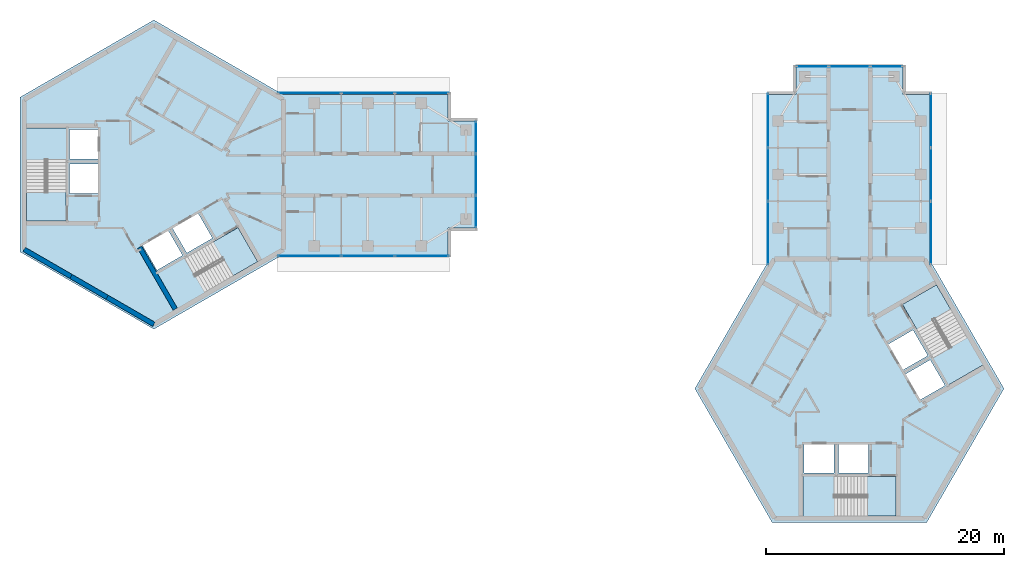
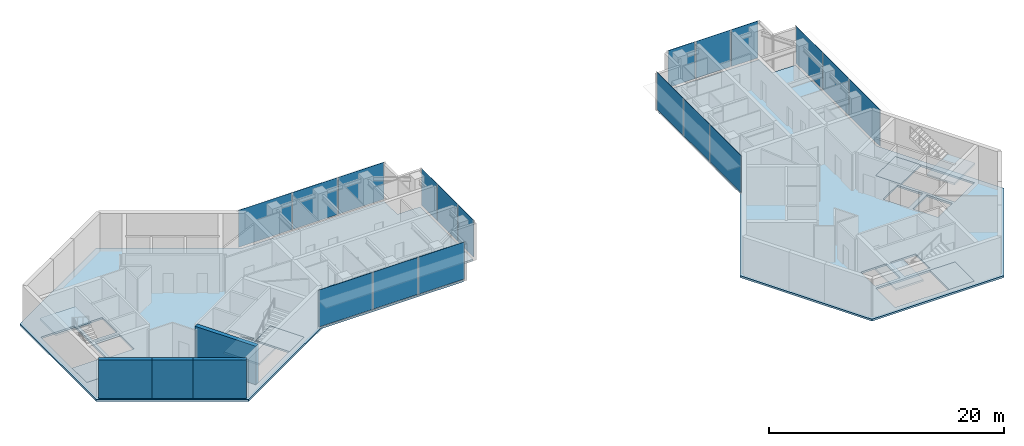
# One storey, part 4 of 11: 18 plates, 10 slabs, 4 walls, 10 elements without a shape of their own.
"""IFC4 building model written with IfcOpenShell, lengths in metres."""

from ifc_helpers import new_model, si_unit, direction, frame, frame_2d, origin, origin_2d, place, context, subcontext, project, spatial, polyline, rectangle, outline, extrude, material, layer, layer_set, type_object, element, aggregate, save


model = new_model("IFC4")

# Units and contexts
model_context = context("Model", 3, precision=1e-05, world=origin(), true_north=direction((0.0, 1.0)))
body_context = subcontext(model_context, "Body", "Model", "MODEL_VIEW")
ifc_project = project(units=[si_unit("LENGTHUNIT", "METRE"), si_unit("AREAUNIT", "SQUARE_METRE"), si_unit("VOLUMEUNIT", "CUBIC_METRE"), si_unit("PLANEANGLEUNIT", "RADIAN"), si_unit("MASSUNIT", "GRAM", prefix="KILO")], contexts=[model_context])

# Site, building, storey
site_placement = place(None, origin())
site = spatial("IfcSite", under=ifc_project, at=site_placement, CompositionType="ELEMENT")
building_placement = place(site_placement, origin())
building = spatial("IfcBuilding", under=site, at=building_placement, Name="Upepo Twin Towers", CompositionType="ELEMENT")
storey_placement = place(building_placement, frame((0.0, 0.0, 267.5)))
storey = spatial("IfcBuildingStorey", under=building, at=storey_placement, Name="L65", CompositionType="ELEMENT", Elevation=267.5)

# Curtain wall, plates
ifc_material_1 = material(Name="Aluminium and fritted glass", Category="aluminium")
curtain_wall_type = type_object("IfcCurtainWallType", Name="Tower curtain wall TW4, fritted glass", PredefinedType="NOTDEFINED", material=ifc_material_1)
curtain_wall_1_placement = place(storey_placement, origin())
curtain_wall_1 = element("IfcCurtainWall", 1, at=curtain_wall_1_placement, inside=storey, type_object=curtain_wall_type, Name="T1 L65 wing A flank L curtain wall", PredefinedType="NOTDEFINED")
ifc_material_2 = material(Name="Ceramic-fritted laminated glass", Category="glass")
ifc_layer_1 = layer(ifc_material_2, 0.031982421875)
ifc_layer_set_1 = layer_set([ifc_layer_1], Name="Fritted glass panel, 70 per cent dot frit, 32 mm double glazed")
plate_type_1 = type_object("IfcPlateType", Name="Fritted glass panel, 70 per cent dot frit, 32 mm double glazed", PredefinedType="CURTAIN_PANEL", material=ifc_layer_set_1)
plate_1_placement = place(storey_placement, frame((13.084716796875, 6.85009765625, 0.14990234375), z_axis=(0.0, 0.0, 1.0), x_axis=(1.0, 0.0, 0.0)))
plate_1 = element("IfcPlate", 2, at=plate_1_placement, type_object=plate_type_1, Name="T1 L65 wing A flank L curtain wall panel 1", PredefinedType="CURTAIN_PANEL", context=body_context, shape_type="SweptSolid", body=[
    extrude(rectangle(XDim=5.265380859375, YDim=0.031982421875, at=origin_2d()), origin(), (0.0, 0.0, 1.0), 3.85009765625),
])
plate_2_placement = place(storey_placement, frame((18.0, 6.85009765625, 0.14990234375), z_axis=(0.0, 0.0, 1.0), x_axis=(1.0, 0.0, 0.0)))
plate_2 = element("IfcPlate", 3, at=plate_2_placement, type_object=plate_type_1, Name="T1 L65 wing A flank L curtain wall panel 2", PredefinedType="CURTAIN_PANEL", context=body_context, shape_type="SweptSolid", body=[
    extrude(rectangle(XDim=4.43505859375, YDim=0.031982421875, at=origin_2d()), origin(), (0.0, 0.0, 1.0), 3.85009765625),
])
plate_3_placement = place(storey_placement, frame((22.53369140625, 6.85009765625, 0.14990234375), z_axis=(0.0, 0.0, 1.0), x_axis=(1.0, 0.0, 0.0)))
plate_3 = element("IfcPlate", 4, at=plate_3_placement, type_object=plate_type_1, Name="T1 L65 wing A flank L curtain wall panel 3", PredefinedType="CURTAIN_PANEL", context=body_context, shape_type="SweptSolid", body=[
    extrude(rectangle(XDim=4.50244140625, YDim=0.031982421875, at=origin_2d()), origin(), (0.0, 0.0, 1.0), 3.85009765625),
])
aggregate(curtain_wall_1, [plate_1, plate_2, plate_3])

curtain_wall_2_placement = place(storey_placement, origin())
curtain_wall_2 = element("IfcCurtainWall", 5, at=curtain_wall_2_placement, inside=storey, type_object=curtain_wall_type, Name="T1 L65 wing A flank R curtain wall", PredefinedType="NOTDEFINED")
plate_4_placement = place(storey_placement, frame((22.53369140625, -6.85009765625, 0.14990234375), z_axis=(0.0, 0.0, 1.0), x_axis=(-1.0, 0.0, 0.0)))
plate_4 = element("IfcPlate", 6, at=plate_4_placement, type_object=plate_type_1, Name="T1 L65 wing A flank R curtain wall panel 1", PredefinedType="CURTAIN_PANEL", context=body_context, shape_type="SweptSolid", body=[
    extrude(rectangle(XDim=4.50244140625, YDim=0.031982421875, at=origin_2d()), origin(), (0.0, 0.0, 1.0), 3.85009765625),
])
plate_5_placement = place(storey_placement, frame((18.0, -6.85009765625, 0.14990234375), z_axis=(0.0, 0.0, 1.0), x_axis=(-1.0, 0.0, 0.0)))
plate_5 = element("IfcPlate", 7, at=plate_5_placement, type_object=plate_type_1, Name="T1 L65 wing A flank R curtain wall panel 2", PredefinedType="CURTAIN_PANEL", context=body_context, shape_type="SweptSolid", body=[
    extrude(rectangle(XDim=4.43505859375, YDim=0.031982421875, at=origin_2d()), origin(), (0.0, 0.0, 1.0), 3.85009765625),
])
plate_6_placement = place(storey_placement, frame((13.084716796875, -6.85009765625, 0.14990234375), z_axis=(0.0, 0.0, 1.0), x_axis=(-1.0, 0.0, 0.0)))
plate_6 = element("IfcPlate", 8, at=plate_6_placement, type_object=plate_type_1, Name="T1 L65 wing A flank R curtain wall panel 3", PredefinedType="CURTAIN_PANEL", context=body_context, shape_type="SweptSolid", body=[
    extrude(rectangle(XDim=5.265380859375, YDim=0.031982421875, at=origin_2d()), origin(), (0.0, 0.0, 1.0), 3.85009765625),
])
aggregate(curtain_wall_2, [plate_4, plate_5, plate_6])

# Curtain wall, plate
curtain_wall_3_placement = place(storey_placement, origin())
curtain_wall_3 = element("IfcCurtainWall", 9, at=curtain_wall_3_placement, inside=storey, type_object=curtain_wall_type, Name="T1 L65 wing A nose curtain wall", PredefinedType="NOTDEFINED")
plate_7_placement = place(storey_placement, frame((27.10009765625, 0.0, 0.14990234375), z_axis=(0.0, 0.0, 1.0), x_axis=(0.0, 1.0, 0.0)))
plate_7 = element("IfcPlate", 10, at=plate_7_placement, type_object=plate_type_1, Name="T1 L65 wing A nose curtain wall panel 2", PredefinedType="CURTAIN_PANEL", context=body_context, shape_type="SweptSolid", body=[
    extrude(rectangle(XDim=3.43505859375, YDim=0.031982421875, at=origin_2d()), origin(), (0.0, 0.0, 1.0), 3.85009765625),
])

# Curtain wall, plates
curtain_wall_4_placement = place(storey_placement, origin())
curtain_wall_4 = element("IfcCurtainWall", 11, at=curtain_wall_4_placement, inside=storey, type_object=curtain_wall_type, Name="T2 L65 wing A flank L curtain wall", PredefinedType="NOTDEFINED")
plate_8_placement = place(storey_placement, frame((51.64990234375, -4.915283203125, 0.14990234375), z_axis=(0.0, 0.0, 1.0), x_axis=(0.0, 1.0, 0.0)))
plate_8 = element("IfcPlate", 12, at=plate_8_placement, type_object=plate_type_1, Name="T2 L65 wing A flank L curtain wall panel 1", PredefinedType="CURTAIN_PANEL", context=body_context, shape_type="SweptSolid", body=[
    extrude(rectangle(XDim=5.265380859375, YDim=0.031982421875, at=origin_2d()), origin(), (0.0, 0.0, 1.0), 3.85009765625),
])
plate_9_placement = place(storey_placement, frame((51.64990234375, 0.0, 0.14990234375), z_axis=(0.0, 0.0, 1.0), x_axis=(0.0, 1.0, 0.0)))
plate_9 = element("IfcPlate", 13, at=plate_9_placement, type_object=plate_type_1, Name="T2 L65 wing A flank L curtain wall panel 2", PredefinedType="CURTAIN_PANEL", context=body_context, shape_type="SweptSolid", body=[
    extrude(rectangle(XDim=4.43505859375, YDim=0.031982421875, at=origin_2d()), origin(), (0.0, 0.0, 1.0), 3.85009765625),
])
plate_10_placement = place(storey_placement, frame((51.64990234375, 4.53369140625, 0.14990234375), z_axis=(0.0, 0.0, 1.0), x_axis=(0.0, 1.0, 0.0)))
plate_10 = element("IfcPlate", 14, at=plate_10_placement, type_object=plate_type_1, Name="T2 L65 wing A flank L curtain wall panel 3", PredefinedType="CURTAIN_PANEL", context=body_context, shape_type="SweptSolid", body=[
    extrude(rectangle(XDim=4.50244140625, YDim=0.031982421875, at=origin_2d()), origin(), (0.0, 0.0, 1.0), 3.85009765625),
])
aggregate(curtain_wall_4, [plate_8, plate_9, plate_10])

curtain_wall_5_placement = place(storey_placement, origin())
curtain_wall_5 = element("IfcCurtainWall", 15, at=curtain_wall_5_placement, inside=storey, type_object=curtain_wall_type, Name="T2 L65 wing A flank R curtain wall", PredefinedType="NOTDEFINED")
plate_11_placement = place(storey_placement, frame((65.35009765625, 4.53369140625, 0.14990234375), z_axis=(0.0, 0.0, 1.0), x_axis=(0.0, -1.0, 0.0)))
plate_11 = element("IfcPlate", 16, at=plate_11_placement, type_object=plate_type_1, Name="T2 L65 wing A flank R curtain wall panel 1", PredefinedType="CURTAIN_PANEL", context=body_context, shape_type="SweptSolid", body=[
    extrude(rectangle(XDim=4.50244140625, YDim=0.031982421875, at=origin_2d()), origin(), (0.0, 0.0, 1.0), 3.85009765625),
])
plate_12_placement = place(storey_placement, frame((65.35009765625, 0.0, 0.14990234375), z_axis=(0.0, 0.0, 1.0), x_axis=(0.0, -1.0, 0.0)))
plate_12 = element("IfcPlate", 17, at=plate_12_placement, type_object=plate_type_1, Name="T2 L65 wing A flank R curtain wall panel 2", PredefinedType="CURTAIN_PANEL", context=body_context, shape_type="SweptSolid", body=[
    extrude(rectangle(XDim=4.43505859375, YDim=0.031982421875, at=origin_2d()), origin(), (0.0, 0.0, 1.0), 3.85009765625),
])
plate_13_placement = place(storey_placement, frame((65.35009765625, -4.915283203125, 0.14990234375), z_axis=(0.0, 0.0, 1.0), x_axis=(0.0, -1.0, 0.0)))
plate_13 = element("IfcPlate", 18, at=plate_13_placement, type_object=plate_type_1, Name="T2 L65 wing A flank R curtain wall panel 3", PredefinedType="CURTAIN_PANEL", context=body_context, shape_type="SweptSolid", body=[
    extrude(rectangle(XDim=5.265380859375, YDim=0.031982421875, at=origin_2d()), origin(), (0.0, 0.0, 1.0), 3.85009765625),
])
aggregate(curtain_wall_5, [plate_11, plate_12, plate_13])

# Curtain wall, plate
curtain_wall_6_placement = place(storey_placement, origin())
curtain_wall_6 = element("IfcCurtainWall", 19, at=curtain_wall_6_placement, inside=storey, type_object=curtain_wall_type, Name="T2 L65 wing A nose curtain wall", PredefinedType="NOTDEFINED")
plate_14_placement = place(storey_placement, frame((58.5, 9.10009765625, 0.14990234375), z_axis=(0.0, 0.0, 1.0), x_axis=(-1.0, 0.0, 0.0)))
plate_14 = element("IfcPlate", 20, at=plate_14_placement, type_object=plate_type_1, Name="T2 L65 wing A nose curtain wall panel 2", PredefinedType="CURTAIN_PANEL", context=body_context, shape_type="SweptSolid", body=[
    extrude(rectangle(XDim=3.43505859375, YDim=0.031982421875, at=origin_2d()), origin(), (0.0, 0.0, 1.0), 3.85009765625),
])

# Plate
ifc_material_3 = material(Name="Clear laminated glass in opening sash", Category="glass")
ifc_layer_2 = layer(ifc_material_3, 0.031982421875)
ifc_layer_set_2 = layer_set([ifc_layer_2], Name="Operable glass panel, 32 mm double glazed")
plate_type_2 = type_object("IfcPlateType", Name="Operable glass panel, 32 mm double glazed", PredefinedType="CURTAIN_PANEL", material=ifc_layer_set_2)
plate_15_placement = place(storey_placement, frame((27.10009765625, -3.108642578125, 0.14990234375), z_axis=(0.0, 0.0, 1.0), x_axis=(0.0, 1.0, 0.0)))
plate_15 = element("IfcPlate", 21, at=plate_15_placement, type_object=plate_type_2, Name="T1 L65 wing A nose curtain wall panel 1", PredefinedType="CURTAIN_PANEL", context=body_context, shape_type="SweptSolid", body=[
    extrude(rectangle(XDim=2.652587890625, YDim=0.031982421875, at=origin_2d()), origin(), (0.0, 0.0, 1.0), 3.85009765625),
])

plate_16_placement = place(storey_placement, frame((27.10009765625, 3.108642578125, 0.14990234375), z_axis=(0.0, 0.0, 1.0), x_axis=(0.0, 1.0, 0.0)))
plate_16 = element("IfcPlate", 22, at=plate_16_placement, type_object=plate_type_2, Name="T1 L65 wing A nose curtain wall panel 3", PredefinedType="CURTAIN_PANEL", context=body_context, shape_type="SweptSolid", body=[
    extrude(rectangle(XDim=2.652587890625, YDim=0.031982421875, at=origin_2d()), origin(), (0.0, 0.0, 1.0), 3.85009765625),
])

aggregate(curtain_wall_3, [plate_15, plate_7, plate_16])

plate_17_placement = place(storey_placement, frame((61.608642578125, 9.10009765625, 0.14990234375), z_axis=(0.0, 0.0, 1.0), x_axis=(-1.0, 0.0, 0.0)))
plate_17 = element("IfcPlate", 23, at=plate_17_placement, type_object=plate_type_2, Name="T2 L65 wing A nose curtain wall panel 1", PredefinedType="CURTAIN_PANEL", context=body_context, shape_type="SweptSolid", body=[
    extrude(rectangle(XDim=2.652587890625, YDim=0.031982421875, at=origin_2d()), origin(), (0.0, 0.0, 1.0), 3.85009765625),
])

plate_18_placement = place(storey_placement, frame((55.391357421875, 9.10009765625, 0.14990234375), z_axis=(0.0, 0.0, 1.0), x_axis=(-1.0, 0.0, 0.0)))
plate_18 = element("IfcPlate", 24, at=plate_18_placement, type_object=plate_type_2, Name="T2 L65 wing A nose curtain wall panel 3", PredefinedType="CURTAIN_PANEL", context=body_context, shape_type="SweptSolid", body=[
    extrude(rectangle(XDim=2.652587890625, YDim=0.031982421875, at=origin_2d()), origin(), (0.0, 0.0, 1.0), 3.85009765625),
])

aggregate(curtain_wall_6, [plate_17, plate_14, plate_18])

# Stair, slabs
ifc_material_4 = material(Name="Concrete C40/50", Category="concrete")
stair_type = type_object("IfcStairType", Name="Core stair, two flights", PredefinedType="HALF_TURN_STAIR", material=ifc_material_4)
stair_1_placement = place(storey_placement, origin())
stair_1 = element("IfcStair", 25, at=stair_1_placement, inside=storey, type_object=stair_type, Name="T1 stair S1 L65", PredefinedType="HALF_TURN_STAIR")
ifc_material_5 = material(Name="Concrete C40/50", Category="concrete")
ifc_layer_3 = layer(ifc_material_5, 0.199951171875)
ifc_layer_set_3 = layer_set([ifc_layer_3], Name="Concrete C40/50")
slab_type_1 = type_object("IfcSlabType", Name="Stair landing 200 RC", PredefinedType="LANDING", material=ifc_layer_set_3)
slab_1_placement = place(storey_placement, frame((0.0, 0.0, -0.199951171875)))
slab_1 = element("IfcSlab", 26, at=slab_1_placement, type_object=slab_type_1, Name="Stair S1 landing 1", PredefinedType="LANDING", context=body_context, shape_type="SweptSolid", body=[
    extrude(outline(polyline([(-7.39990234375, -1.419921875), (-10.708251953125, -1.419921875), (-10.708251953125, -3.89990234375), (-7.39990234375, -3.89990234375), (-7.39990234375, -1.419921875)])), origin(), (0.0, 0.0, 1.0), 0.199951171875),
])
slab_2_placement = place(storey_placement, frame((0.0, 0.0, 1.800048828125)))
slab_2 = element("IfcSlab", 27, at=slab_2_placement, type_object=slab_type_1, Name="Stair S1 landing 2", PredefinedType="LANDING", context=body_context, shape_type="SweptSolid", body=[
    extrude(outline(polyline([(-7.300048828125, 3.89990234375), (-10.808349609375, 3.89990234375), (-10.808349609375, 1.179931640625), (-7.300048828125, 1.179931640625), (-7.300048828125, 3.89990234375)])), origin(), (0.0, 0.0, 1.0), 0.199951171875),
])
aggregate(stair_1, [slab_1, slab_2])

stair_2_placement = place(storey_placement, origin())
stair_2 = element("IfcStair", 28, at=stair_2_placement, inside=storey, type_object=stair_type, Name="T1 stair S2 L65", PredefinedType="HALF_TURN_STAIR")
slab_3_placement = place(storey_placement, frame((0.0, 0.0, -0.199951171875)))
slab_3 = element("IfcSlab", 29, at=slab_3_placement, type_object=slab_type_1, Name="Stair S2 landing 1", PredefinedType="LANDING", context=body_context, shape_type="SweptSolid", body=[
    extrude(outline(polyline([(4.9296875, -5.698486328125), (6.583984375, -8.563720703125), (8.731689453125, -7.32373046875), (7.077392578125, -4.45849609375), (4.9296875, -5.698486328125)])), origin(), (0.0, 0.0, 1.0), 0.199951171875),
])
slab_4_placement = place(storey_placement, frame((0.0, 0.0, 1.800048828125)))
slab_4 = element("IfcSlab", 30, at=slab_4_placement, type_object=slab_type_1, Name="Stair S2 landing 2", PredefinedType="LANDING", context=body_context, shape_type="SweptSolid", body=[
    extrude(outline(polyline([(0.2724609375, -8.27197265625), (2.026611328125, -11.310302734375), (4.38232421875, -9.9501953125), (2.628173828125, -6.911865234375), (0.2724609375, -8.27197265625)])), origin(), (0.0, 0.0, 1.0), 0.199951171875),
])
aggregate(stair_2, [slab_3, slab_4])

stair_3_placement = place(storey_placement, origin())
stair_3 = element("IfcStair", 31, at=stair_3_placement, inside=storey, type_object=stair_type, Name="T2 stair S1 L65", PredefinedType="HALF_TURN_STAIR")
slab_5_placement = place(storey_placement, frame((0.0, 0.0, -0.199951171875)))
slab_5 = element("IfcSlab", 32, at=slab_5_placement, type_object=slab_type_1, Name="Stair S1 landing 1", PredefinedType="LANDING", context=body_context, shape_type="SweptSolid", body=[
    extrude(outline(polyline([(59.919921875, -25.39990234375), (59.919921875, -28.708251953125), (62.39990234375, -28.708251953125), (62.39990234375, -25.39990234375), (59.919921875, -25.39990234375)])), origin(), (0.0, 0.0, 1.0), 0.199951171875),
])
slab_6_placement = place(storey_placement, frame((0.0, 0.0, 1.800048828125)))
slab_6 = element("IfcSlab", 33, at=slab_6_placement, type_object=slab_type_1, Name="Stair S1 landing 2", PredefinedType="LANDING", context=body_context, shape_type="SweptSolid", body=[
    extrude(outline(polyline([(54.60009765625, -25.300048828125), (54.60009765625, -28.808349609375), (57.320068359375, -28.808349609375), (57.320068359375, -25.300048828125), (54.60009765625, -25.300048828125)])), origin(), (0.0, 0.0, 1.0), 0.199951171875),
])
aggregate(stair_3, [slab_5, slab_6])

stair_4_placement = place(storey_placement, origin())
stair_4 = element("IfcStair", 34, at=stair_4_placement, inside=storey, type_object=stair_type, Name="T2 stair S2 L65", PredefinedType="HALF_TURN_STAIR")
slab_7_placement = place(storey_placement, frame((0.0, 0.0, -0.199951171875)))
slab_7 = element("IfcSlab", 35, at=slab_7_placement, type_object=slab_type_1, Name="Stair S2 landing 1", PredefinedType="LANDING", context=body_context, shape_type="SweptSolid", body=[
    extrude(outline(polyline([(64.198486328125, -13.0703125), (67.063720703125, -11.416015625), (65.82373046875, -9.268310546875), (62.95849609375, -10.922607421875), (64.198486328125, -13.0703125)])), origin(), (0.0, 0.0, 1.0), 0.199951171875),
])
slab_8_placement = place(storey_placement, frame((0.0, 0.0, 1.800048828125)))
slab_8 = element("IfcSlab", 36, at=slab_8_placement, type_object=slab_type_1, Name="Stair S2 landing 2", PredefinedType="LANDING", context=body_context, shape_type="SweptSolid", body=[
    extrude(outline(polyline([(66.77197265625, -17.7275390625), (69.810302734375, -15.973388671875), (68.4501953125, -13.61767578125), (65.411865234375, -15.371826171875), (66.77197265625, -17.7275390625)])), origin(), (0.0, 0.0, 1.0), 0.199951171875),
])
aggregate(stair_4, [slab_7, slab_8])

# Slabs
ifc_material_6 = material(Name="Concrete C40/50", Category="concrete")
ifc_layer_4 = layer(ifc_material_6, 0.199951171875)
ifc_layer_set_4 = layer_set([ifc_layer_4], Name="Concrete C40/50")
slab_type_2 = type_object("IfcSlabType", Name="Tower floor slab 200 RC", PredefinedType="FLOOR", material=ifc_layer_set_4)
slab_9_placement = place(storey_placement, frame((0.0, 0.0, -0.199951171875)))
element("IfcSlab", 37, at=slab_9_placement, inside=storey, type_object=slab_type_2, Name="T1 L65 floor slab", PredefinedType="FLOOR", context=body_context, shape_type="SweptSolid", body=[
    extrude(outline(polyline([(0.0, -13.0), (-11.25830078125, -6.5), (-11.25830078125, 6.5), (0.0, 13.0), (10.825439453125, 6.75), (24.75, 6.75), (24.75, 4.5), (27.0, 4.5), (27.0, -4.5), (24.75, -4.5), (24.75, -6.75), (10.825439453125, -6.75), (0.0, -13.0)]), holes=[polyline([(-4.699951171875, 3.800048828125), (-7.10009765625, 3.800048828125), (-7.10009765625, 1.300048828125), (-4.699951171875, 1.300048828125), (-4.699951171875, 3.800048828125)]), polyline([(-4.699951171875, 0.89990234375), (-7.10009765625, 0.89990234375), (-7.10009765625, -1.60009765625), (-4.699951171875, -1.60009765625), (-4.699951171875, 0.89990234375)]), polyline([(-7.39990234375, 3.89990234375), (-10.708251953125, 3.89990234375), (-10.708251953125, -3.89990234375), (-7.39990234375, -3.89990234375), (-7.39990234375, 3.89990234375)]), polyline([(-0.94091796875, -5.97021484375), (0.259033203125, -8.048828125), (2.424072265625, -6.798828125), (1.22412109375, -4.72021484375), (-0.94091796875, -5.97021484375)]), polyline([(1.570556640625, -4.520263671875), (2.7705078125, -6.598876953125), (4.935546875, -5.348876953125), (3.735595703125, -3.270263671875), (1.570556640625, -4.520263671875)]), polyline([(0.322509765625, -8.358642578125), (1.9765625, -11.2236328125), (8.731689453125, -7.32373046875), (7.077392578125, -4.45849609375), (0.322509765625, -8.358642578125)])]), origin(), (0.0, 0.0, 1.0), 0.199951171875),
])
slab_10_placement = place(storey_placement, frame((0.0, 0.0, -0.199951171875)))
element("IfcSlab", 38, at=slab_10_placement, inside=storey, type_object=slab_type_2, Name="T2 L65 floor slab", PredefinedType="FLOOR", context=body_context, shape_type="SweptSolid", body=[
    extrude(outline(polyline([(71.5, -18.0), (65.0, -29.25830078125), (52.0, -29.25830078125), (45.5, -18.0), (51.75, -7.174560546875), (51.75, 6.75), (54.0, 6.75), (54.0, 9.0), (63.0, 9.0), (63.0, 6.75), (65.25, 6.75), (65.25, -7.174560546875), (71.5, -18.0)]), holes=[polyline([(54.699951171875, -22.699951171875), (54.699951171875, -25.10009765625), (57.199951171875, -25.10009765625), (57.199951171875, -22.699951171875), (54.699951171875, -22.699951171875)]), polyline([(57.60009765625, -22.699951171875), (57.60009765625, -25.10009765625), (60.10009765625, -25.10009765625), (60.10009765625, -22.699951171875), (57.60009765625, -22.699951171875)]), polyline([(54.60009765625, -25.39990234375), (54.60009765625, -28.708251953125), (62.39990234375, -28.708251953125), (62.39990234375, -25.39990234375), (54.60009765625, -25.39990234375)]), polyline([(64.47021484375, -18.94091796875), (66.548828125, -17.740966796875), (65.298828125, -15.575927734375), (63.22021484375, -16.77587890625), (64.47021484375, -18.94091796875)]), polyline([(63.020263671875, -16.429443359375), (65.098876953125, -15.2294921875), (63.848876953125, -13.064453125), (61.770263671875, -14.264404296875), (63.020263671875, -16.429443359375)]), polyline([(66.858642578125, -17.677490234375), (69.7236328125, -16.0234375), (65.82373046875, -9.268310546875), (62.95849609375, -10.922607421875), (66.858642578125, -17.677490234375)])]), origin(), (0.0, 0.0, 1.0), 0.199951171875),
])

# Walls
ifc_material_7 = material(Name="Concrete C60/75", Category="concrete")
ifc_layer_5 = layer(ifc_material_7, 0.39990234375)
ifc_layer_set_5 = layer_set([ifc_layer_5], Name="Concrete C60/75")
wall_type_1 = type_object("IfcWallType", Name="Core wall 400 RC", PredefinedType="SHEAR", material=ifc_layer_set_5)
wall_1_placement = place(storey_placement, frame((-10.908447265625, -6.2978515625, 0.0), z_axis=(0.0, 0.0, 1.0), x_axis=(0.866034513004, -0.499984222037, 0.0)))
element("IfcWall", 39, at=wall_1_placement, inside=storey, type_object=wall_type_1, Name="T1 core wall 240 R", PredefinedType="SHEAR", context=body_context, shape_type="SweptSolid", body=[
    extrude(rectangle(XDim=4.548095703125, YDim=0.39990234375, at=frame_2d((2.27392578125, 0.0))), origin(), (0.0, 0.0, 1.0), 4.0),
])
wall_2_placement = place(storey_placement, frame((-6.9697265625, -8.57177734375, 0.0), z_axis=(0.0, 0.0, 1.0), x_axis=(0.866019471182, -0.500010275428, 0.0)))
element("IfcWall", 40, at=wall_2_placement, inside=storey, type_object=wall_type_1, Name="T1 core wall 240", PredefinedType="SHEAR", context=body_context, shape_type="SweptSolid", body=[
    extrude(rectangle(XDim=3.5, YDim=0.39990234375, at=frame_2d((1.75, 0.0))), origin(), (0.0, 0.0, 1.0), 4.0),
])
wall_3_placement = place(storey_placement, frame((-3.938720703125, -10.32177734375, 0.0), z_axis=(0.0, 0.0, 1.0), x_axis=(0.866011268655, -0.500024481964, 0.0)))
element("IfcWall", 41, at=wall_3_placement, inside=storey, type_object=wall_type_1, Name="T1 core wall 240 L", PredefinedType="SHEAR", context=body_context, shape_type="SweptSolid", body=[
    extrude(rectangle(XDim=4.548095703125, YDim=0.39990234375, at=frame_2d((2.27392578125, 0.0))), origin(), (0.0, 0.0, 1.0), 4.0),
])
ifc_material_8 = material(Name="Concrete C40/50", Category="concrete")
ifc_layer_6 = layer(ifc_material_8, 0.39990234375)
ifc_layer_set_6 = layer_set([ifc_layer_6], Name="Concrete C40/50")
wall_type_2 = type_object("IfcWallType", Name="Shaft wall 400 RC", PredefinedType="SHEAR", material=ifc_layer_set_6)
wall_4_placement = place(storey_placement, frame((-1.20068359375, -6.120361328125, 0.0), z_axis=(0.0, 0.0, 1.0), x_axis=(0.499997979876, -0.866026570101, 0.0)))
element("IfcWall", 42, at=wall_4_placement, inside=storey, type_object=wall_type_2, Name="T1 core W300 side wall S", PredefinedType="SHEAR", context=body_context, shape_type="SweptSolid", body=[
    extrude(rectangle(XDim=6.00830078125, YDim=0.39990234375, at=frame_2d((3.004150390625, 0.0))), origin(), (0.0, 0.0, 1.0), 4.0),
])

save(model, "model.ifc")
